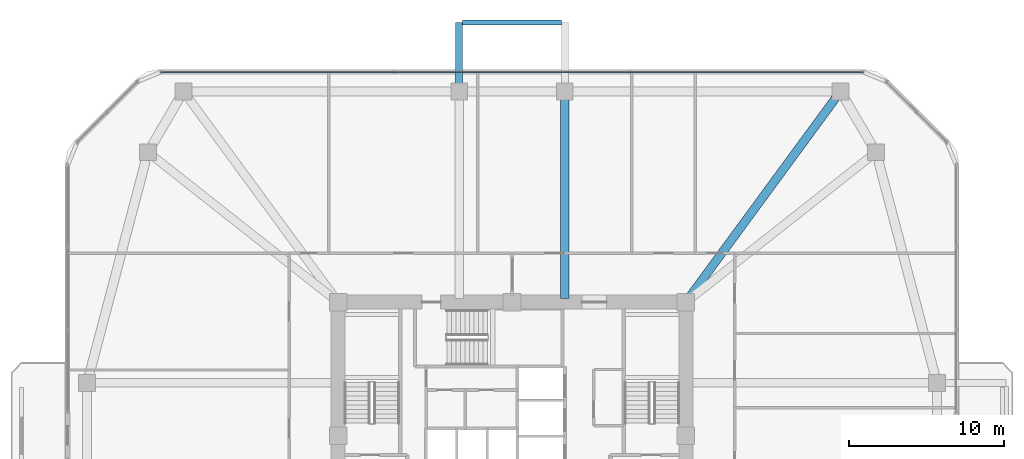
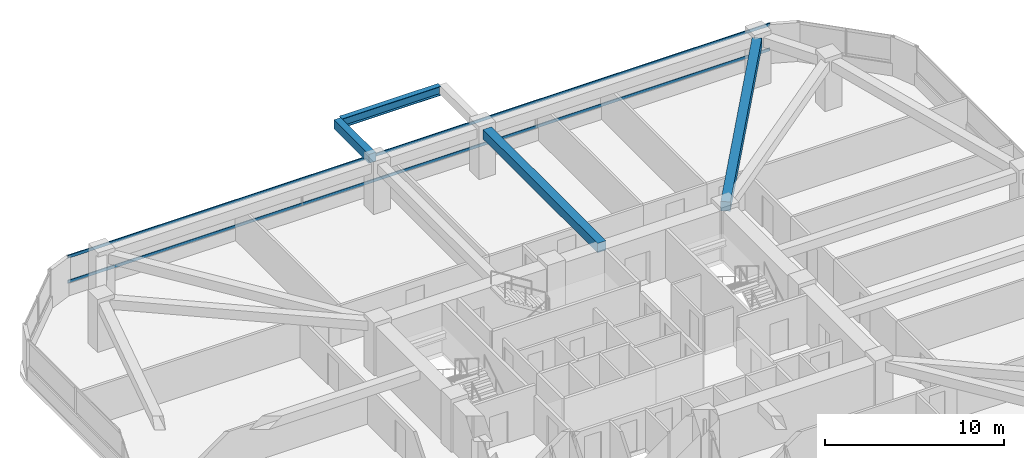
# One storey, part 7 of 15: 4 beams, 2 members, 1 element without a shape of its own.
"""IFC4 building model written with IfcOpenShell, lengths in metres."""

import ifcopenshell
import ifcopenshell.guid

model = None  # the IFC model being written
_history = None  # IfcOwnerHistory: only IFC2X3 demands one
_inside = {}  # id of a spatial element -> (the spatial element, [elements in it])
_under = {}  # id of a project, library or spatial element -> (it, [spatial elements below it])
_declared = {}  # id of a project -> (the project, [libraries it declares])
_typed = {}  # id of a type object -> (the type object, [elements of that type])
_made_of = {}  # id of a material, layer set ... -> (it, [elements and type objects made of it])


def new_model(schema):
    """Start an empty IFC model of exactly this schema.

    Asked for "IFC4X3", IfcOpenShell would pick the latest addendum, in which some entities
    have other attributes; the version numbers below select the first issue.
    IFC2X3 requires an IfcOwnerHistory on every rooted entity: one is made here for all.
    """
    global model, _history
    if schema == "IFC4X3":
        model = ifcopenshell.file(schema_version=(4, 3, 0, 0))
    else:
        model = ifcopenshell.file(schema=schema)
    _inside.clear()
    _under.clear()
    _declared.clear()
    _typed.clear()
    _made_of.clear()
    _history = None
    if model.schema == "IFC2X3":
        org = make("IfcOrganization", Name="unknown")
        user = make(
            "IfcPersonAndOrganization",
            ThePerson=make("IfcPerson", FamilyName="unknown"),
            TheOrganization=org,
        )
        app = make(
            "IfcApplication",
            ApplicationDeveloper=org,
            Version="unknown",
            ApplicationFullName="unknown",
            ApplicationIdentifier="unknown",
        )
        _history = make(
            "IfcOwnerHistory",
            OwningUser=user,
            OwningApplication=app,
            ChangeAction="ADDED",
            CreationDate=0,
        )
    return model


def make(cls, **values):
    """One entity of the class cls with the attributes given. An attribute that is None is left unset."""
    return model.create_entity(
        cls, **{name: value for name, value in values.items() if value is not None}
    )


def rooted(cls, **values):
    """An entity with a GlobalId (a new one), such as an element, a storey or a relation."""
    return make(cls, GlobalId=ifcopenshell.guid.new(), OwnerHistory=_history, **values)


def si_unit(unit_type, name, prefix=None):
    """IfcSIUnit, for example si_unit("LENGTHUNIT", "METRE", prefix="MILLI")."""
    return make("IfcSIUnit", UnitType=unit_type, Prefix=prefix, Name=name)


def derived_unit(unit_type, elements):
    """IfcDerivedUnit: a product of units, each with its exponent."""
    return make(
        "IfcDerivedUnit",
        Elements=[
            make("IfcDerivedUnitElement", Unit=unit, Exponent=power)
            for unit, power in elements
        ],
        UnitType=unit_type,
    )


def assignment(units):
    """IfcUnitAssignment: the units of a project."""
    return None if units is None else make("IfcUnitAssignment", Units=units)


def point(xyz):
    """IfcCartesianPoint."""
    return None if xyz is None else make("IfcCartesianPoint", Coordinates=xyz)


def direction(xyz):
    """IfcDirection."""
    return None if xyz is None else make("IfcDirection", DirectionRatios=xyz)


def frame(location, z_axis=None, x_axis=None):
    """IfcAxis2Placement3D, a coordinate frame: its origin and axes. An axis left out is left unset."""
    return make(
        "IfcAxis2Placement3D",
        Location=point(location),
        Axis=direction(z_axis),
        RefDirection=direction(x_axis),
    )


def frame_2d(location, x_axis=None):
    """IfcAxis2Placement2D, a coordinate frame in the plane: its origin and x axis."""
    return make(
        "IfcAxis2Placement2D", Location=point(location), RefDirection=direction(x_axis)
    )


def origin():
    """The frame at (0, 0, 0) with its axes left unset."""
    return frame((0.0, 0.0, 0.0))


def origin_2d():
    """The frame at (0, 0) in the plane with its x axis left unset."""
    return frame_2d((0.0, 0.0))


def place(relative_to, where):
    """IfcLocalPlacement: puts the frame where relative to a parent placement (None: the world)."""
    return make(
        "IfcLocalPlacement", PlacementRelTo=relative_to, RelativePlacement=where
    )


def context(
    kind, dimensions, precision=None, world=None, true_north=None, identifier=None
):
    """IfcGeometricRepresentationContext, for example the 3D "Model" context."""
    return make(
        "IfcGeometricRepresentationContext",
        ContextIdentifier=identifier,
        ContextType=kind,
        CoordinateSpaceDimension=dimensions,
        Precision=precision,
        WorldCoordinateSystem=world,
        TrueNorth=true_north,
    )


def subcontext(parent, identifier, kind, view, scale=None):
    """IfcGeometricRepresentationSubContext, for example "Body" below "Model"."""
    return make(
        "IfcGeometricRepresentationSubContext",
        ContextIdentifier=identifier,
        ContextType=kind,
        ParentContext=parent,
        TargetScale=scale,
        TargetView=view,
    )


def project(units=None, contexts=None):
    """IfcProject with its units and contexts."""
    return rooted(
        "IfcProject",
        Name="project",
        RepresentationContexts=contexts,
        UnitsInContext=assignment(units),
    )


def spatial(cls, under=None, at=None, **own):
    """A site, building, storey or space (cls), placed at a placement, below another one or the project."""
    s = rooted(cls, ObjectPlacement=at, **own)
    if under is not None:
        _under.setdefault(under.id(), (under, []))[1].append(s)
    return s


def profile(cls, at=None, kind="AREA", **sizes):
    """A parametric profile (cls). Its sizes go by their IFC names, for example OverallWidth=200.0."""
    return make(cls, ProfileType=kind, Position=at, **sizes)


def rectangle(**sizes):
    """IfcRectangleProfileDef."""
    return profile("IfcRectangleProfileDef", **sizes)


def i_section(**sizes):
    """IfcIShapeProfileDef."""
    return profile("IfcIShapeProfileDef", **sizes)


def extrude(swept, where, along, depth):
    """IfcExtrudedAreaSolid: the profile swept, set in the frame where, extruded along a direction by depth."""
    return make(
        "IfcExtrudedAreaSolid",
        SweptArea=swept,
        Position=where,
        ExtrudedDirection=direction(along),
        Depth=depth,
    )


def shape(context_of_items, identifier, shape_type, items):
    """IfcShapeRepresentation: the items that make up one representation, for example the "Body"."""
    return make(
        "IfcShapeRepresentation",
        ContextOfItems=context_of_items,
        RepresentationIdentifier=identifier,
        RepresentationType=shape_type,
        Items=items,
    )


def material(Name=None, Category=None):
    """IfcMaterial."""
    return make("IfcMaterial", Name=Name, Category=Category)


def material_profile(
    of_material, cross_section, Name=None, Category=None, Priority=None
):
    """IfcMaterialProfile: a cross section and its material."""
    return make(
        "IfcMaterialProfile",
        Name=Name,
        Material=of_material,
        Profile=cross_section,
        Priority=Priority,
        Category=Category,
    )


def profile_set(profiles, Name=None, composite=None):
    """IfcMaterialProfileSet."""
    return make(
        "IfcMaterialProfileSet",
        Name=Name,
        MaterialProfiles=profiles,
        CompositeProfile=composite,
    )


def made_of(thing, what):
    """Note that an element or type object is made of a material, layer set ...; save() writes the relation."""
    if what is not None:
        _made_of.setdefault(what.id(), (what, []))[1].append(thing)
    return thing


def type_object(cls, material=None, **own):
    """A type object (cls), such as IfcWallType, which elements share."""
    return made_of(rooted(cls, **own), material)


def element(
    cls,
    number,
    at=None,
    inside=None,
    cuts=None,
    type_object=None,
    material=None,
    context=None,
    identifier="Body",
    shape_type=None,
    held_by="IfcProductDefinitionShape",
    body=None,
    shapes=None,
    **own,
):
    """One element of the class cls, such as IfcWall. Its Tag is "e" and its number.

    at: its placement. inside: the storey or other place that contains it. cuts: it is an
    opening in that element (IfcRelVoidsElement). A single representation is given by context,
    identifier, shape_type and body (its items); several are given by shapes. held_by: the class
    of the entity that holds the representations. save() writes the other relations.
    """
    e = rooted(cls, Tag="e%d" % number, ObjectPlacement=at, **own)
    if body is not None:
        shapes = [shape(context, identifier, shape_type, body)]
    if shapes is not None:
        e.Representation = make(held_by, Representations=shapes)
    if inside is not None:
        _inside.setdefault(inside.id(), (inside, []))[1].append(e)
    if cuts is not None:
        rooted(
            "IfcRelVoidsElement", RelatingBuildingElement=cuts, RelatedOpeningElement=e
        )
    if type_object is not None:
        _typed.setdefault(type_object.id(), (type_object, []))[1].append(e)
    return made_of(e, material)


def aggregate(whole, parts):
    """IfcRelAggregates: a whole, such as a stair, and the parts it consists of."""
    return rooted("IfcRelAggregates", RelatingObject=whole, RelatedObjects=parts)


def save(model, path):
    """Write the relations noted so far, then the file.

    IfcRelAggregates (storeys below a building ...), IfcRelContainedInSpatialStructure (elements
    in a storey), IfcRelDefinesByType, IfcRelAssociatesMaterial and IfcRelDeclares: one each for
    every whole, place, type object, material and project.
    """
    for whole, parts in _under.values():
        aggregate(whole, parts)
    for where, things in _inside.values():
        rooted(
            "IfcRelContainedInSpatialStructure",
            RelatedElements=things,
            RelatingStructure=where,
        )
    for kind, things in _typed.values():
        rooted("IfcRelDefinesByType", RelatedObjects=things, RelatingType=kind)
    for what, things in _made_of.values():
        rooted("IfcRelAssociatesMaterial", RelatedObjects=things, RelatingMaterial=what)
    for by, libraries in _declared.values():
        rooted("IfcRelDeclares", RelatingContext=by, RelatedDefinitions=libraries)
    model.write(path)


model = new_model("IFC4")

# Units and contexts
model_context = context("Model", 3, precision=1e-05, world=origin(), true_north=direction((0.0, 1.0)))
body_context = subcontext(model_context, "Body", "Model", "MODEL_VIEW")
ifc_project = project(units=[si_unit("LENGTHUNIT", "METRE"), si_unit("AREAUNIT", "SQUARE_METRE"), si_unit("VOLUMEUNIT", "CUBIC_METRE"), si_unit("PLANEANGLEUNIT", "RADIAN"), si_unit("MASSUNIT", "GRAM", prefix="KILO"), derived_unit("THERMALTRANSMITTANCEUNIT", [(si_unit("POWERUNIT", "WATT"), 1), (si_unit("LENGTHUNIT", "METRE"), -2), (si_unit("THERMODYNAMICTEMPERATUREUNIT", "KELVIN"), -1)])], contexts=[model_context])

# Site, building, storey
site_placement = place(None, origin())
site = spatial("IfcSite", under=ifc_project, at=site_placement, CompositionType="ELEMENT")
building_placement = place(site_placement, origin())
building = spatial("IfcBuilding", under=site, at=building_placement, Name="Koralith Skygarden Medical Center", CompositionType="ELEMENT")
storey_placement = place(building_placement, frame((0.0, 0.0, 27.5400390625)))
storey = spatial("IfcBuildingStorey", under=building, at=storey_placement, Name="L06", CompositionType="ELEMENT", Elevation=27.5400390625)

# Curtain wall, members
ifc_material_1 = material(Name="Clear Laminated Glass", Category="glass")
curtain_wall_type = type_object("IfcCurtainWallType", Name="CW-2 Zone 1 Hurricane Unitised Curtain Wall", PredefinedType="NOTDEFINED", material=ifc_material_1)
curtain_wall_placement = place(storey_placement, origin())
curtain_wall = element("IfcCurtainWall", 1, at=curtain_wall_placement, inside=storey, type_object=curtain_wall_type, Name="Curtain Wall CW-L06-N", PredefinedType="NOTDEFINED")
ifc_material_2 = material(Name="Aluminium 6063-T6", Category="aluminium")
ifc_material_profile_1 = material_profile(ifc_material_2, rectangle(XDim=0.06591796875, YDim=0.197998046875, at=origin_2d()), Name="TRN66X198")
ifc_profile_set_1 = profile_set([ifc_material_profile_1], Name="Aluminium 6063-T6")
member_type = type_object("IfcMemberType", Name="CW-2 Thermal Transom 66x198", PredefinedType="USERDEFINED", material=ifc_profile_set_1)
member_1_placement = place(storey_placement, frame((59.64501953125, 49.320068359375, 0.89990234375), z_axis=(-1.0, 0.0, 0.0), x_axis=(0.0, -1.0, 0.0)))
member_1 = element("IfcMember", 2, at=member_1_placement, type_object=member_type, Name="CW-L06-N Transom 1", ObjectType="TRANSOM", PredefinedType="USERDEFINED", context=body_context, shape_type="SweptSolid", body=[
    extrude(rectangle(XDim=0.06591796875, YDim=0.197998046875, at=origin_2d()), origin(), (0.0, 0.0, 1.0), 45.2900390625),
])
member_2_placement = place(storey_placement, frame((59.64501953125, 49.320068359375, 2.599853515625), z_axis=(-1.0, 0.0, 0.0), x_axis=(0.0, -1.0, 0.0)))
member_2 = element("IfcMember", 3, at=member_2_placement, type_object=member_type, Name="CW-L06-N Transom 2", ObjectType="TRANSOM", PredefinedType="USERDEFINED", context=body_context, shape_type="SweptSolid", body=[
    extrude(rectangle(XDim=0.06591796875, YDim=0.197998046875, at=origin_2d()), origin(), (0.0, 0.0, 1.0), 45.2900390625),
])
aggregate(curtain_wall, [member_1, member_2])

# Beams
ifc_material_3 = material(Name="Steel ASTM A992 Grade 50", Category="steel")
ifc_material_profile_2 = material_profile(ifc_material_3, i_section(OverallWidth=0.326904296875, OverallDepth=0.6220703125, WebThickness=0.015380859375, FlangeThickness=0.0244140625, at=origin_2d()), Name="W24X131")
ifc_profile_set_2 = profile_set([ifc_material_profile_2], Name="Steel ASTM A992 Grade 50")
beam_type_1 = type_object("IfcBeamType", Name="Cantilever Tie Beam W24X131", PredefinedType="BEAM", material=ifc_profile_set_2)
beam_1_placement = place(storey_placement, frame((33.820068359375, 52.52001953125, 3.029052734375), z_axis=(1.0, 0.0, 0.0), x_axis=(0.0, 1.0, 0.0)))
element("IfcBeam", 4, at=beam_1_placement, inside=storey, type_object=beam_type_1, Name="L07 N Balcony Tip Tie Beam", PredefinedType="BEAM", context=body_context, shape_type="SweptSolid", body=[
    extrude(i_section(OverallWidth=0.326904296875, OverallDepth=0.6220703125, WebThickness=0.015380859375, FlangeThickness=0.0244140625, at=origin_2d()), origin(), (0.0, 0.0, 1.0), 6.35986328125),
])
ifc_material_4 = material(Name="Concrete C45/55", Category="concrete")
ifc_material_profile_3 = material_profile(ifc_material_4, rectangle(XDim=0.449951171875, YDim=0.60009765625, at=origin_2d()), Name="RCB450X600")
ifc_profile_set_3 = profile_set([ifc_material_profile_3], Name="Concrete C45/55")
beam_type_2 = type_object("IfcBeamType", Name="Planted Balcony Cantilever Beam RCB450X600", PredefinedType="BEAM", material=ifc_profile_set_3)
beam_2_placement = place(storey_placement, frame((33.60009765625, 48.60009765625, 3.0400390625), z_axis=(0.0, 1.0, 0.0), x_axis=(-1.0, 0.0, 0.0)))
element("IfcBeam", 5, at=beam_2_placement, inside=storey, type_object=beam_type_2, Name="L07 N Balcony Cantilever Beam A", PredefinedType="BEAM", context=body_context, shape_type="SweptSolid", body=[
    extrude(rectangle(XDim=0.449951171875, YDim=0.60009765625, at=origin_2d()), origin(), (0.0, 0.0, 1.0), 3.919921875),
])
ifc_material_profile_4 = material_profile(ifc_material_4, rectangle(XDim=0.550048828125, YDim=0.639892578125, at=origin_2d()), Name="RCB550X640")
ifc_profile_set_4 = profile_set([ifc_material_profile_4], Name="Concrete C45/55")
beam_type_3 = type_object("IfcBeamType", Name="Radial Collector Beam RCB550X640", PredefinedType="BEAM", material=ifc_profile_set_4)
beam_3_placement = place(storey_placement, frame((48.347900390625, 34.701904296875, 3.0), z_axis=(0.591710803277, 0.806150311843, 0.0), x_axis=(-0.806150311843, 0.591710803277, 0.0)))
element("IfcBeam", 6, at=beam_3_placement, inside=storey, type_object=beam_type_3, Name="L06 Radial Collector Beam RB-11", PredefinedType="BEAM", context=body_context, shape_type="SweptSolid", body=[
    extrude(rectangle(XDim=0.550048828125, YDim=0.639892578125, at=origin_2d()), origin(), (0.0, 0.0, 1.0), 16.0654296875),
])
beam_4_placement = place(storey_placement, frame((40.39990234375, 34.75, 3.0), z_axis=(0.0, 1.0, 0.0), x_axis=(-1.0, 0.0, 0.0)))
element("IfcBeam", 7, at=beam_4_placement, inside=storey, type_object=beam_type_3, Name="L06 Radial Collector Beam RB-12", PredefinedType="BEAM", context=body_context, shape_type="SweptSolid", body=[
    extrude(rectangle(XDim=0.550048828125, YDim=0.639892578125, at=origin_2d()), origin(), (0.0, 0.0, 1.0), 12.800048828125),
])

save(model, "model.ifc")
